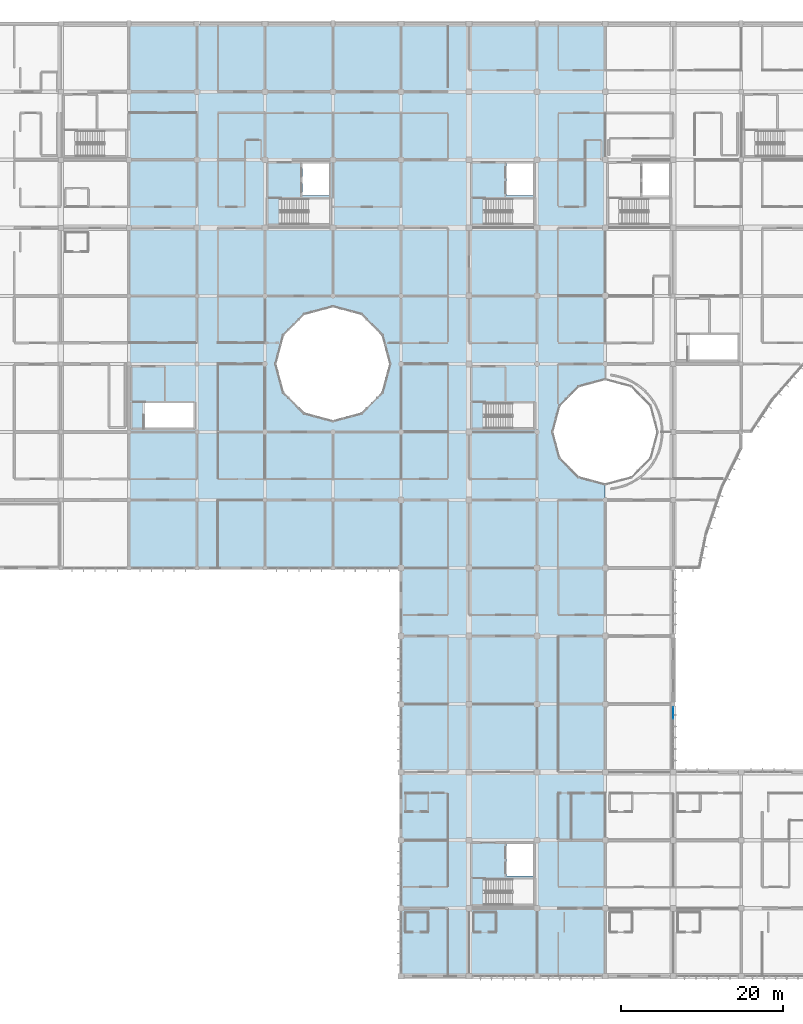
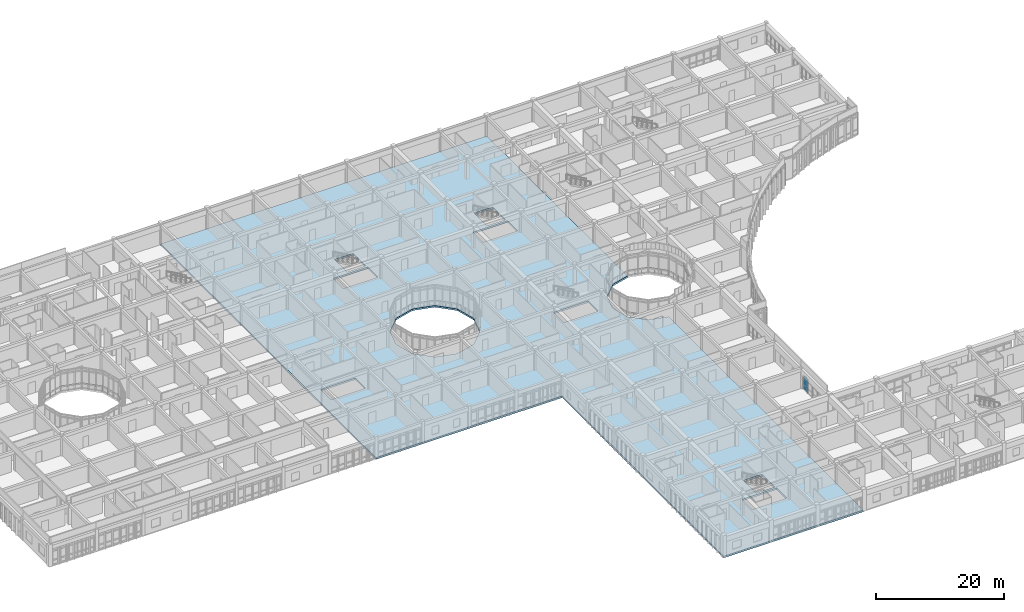
# One storey, part 59 of 119: 3 plates, 1 slab, 1 element without a shape of its own.
"""IFC4 building model written with IfcOpenShell, lengths in metres."""

from ifc_helpers import new_model, si_unit, direction, frame, origin, origin_2d, place, context, subcontext, project, spatial, polyline, rectangle, outline, extrude, material, layer, layer_set, type_object, element, aggregate, save


model = new_model("IFC4")

# Units and contexts
model_context = context("Model", 3, precision=1e-05, world=origin(), true_north=direction((0.0, 1.0)))
body_context = subcontext(model_context, "Body", "Model", "MODEL_VIEW")
ifc_project = project(units=[si_unit("LENGTHUNIT", "METRE"), si_unit("AREAUNIT", "SQUARE_METRE"), si_unit("VOLUMEUNIT", "CUBIC_METRE"), si_unit("PLANEANGLEUNIT", "RADIAN"), si_unit("MASSUNIT", "GRAM", prefix="KILO")], contexts=[model_context])

# Site, building, storey
site_placement = place(None, origin())
site = spatial("IfcSite", under=ifc_project, at=site_placement, CompositionType="ELEMENT")
building_placement = place(site_placement, origin())
building = spatial("IfcBuilding", under=site, at=building_placement, Name="Bramfleet General Hospital", CompositionType="ELEMENT")
storey_placement = place(building_placement, frame((0.0, 0.0, 14.39990234375)))
storey = spatial("IfcBuildingStorey", under=building, at=storey_placement, Name="L03", CompositionType="ELEMENT", Elevation=14.39990234375)

# Curtain wall, plates
ifc_material_1 = material(Name="Anodised aluminium and low-E triple glazing", Category="aluminium")
ifc_layer_1 = layer(ifc_material_1, 0.179931640625, Name="CWT-CW-01")
ifc_layer_set_1 = layer_set([ifc_layer_1], Name="Anodised aluminium and low-E triple glazing")
curtain_wall_type = type_object("IfcCurtainWallType", Name="CWT-CW-01", PredefinedType="USERDEFINED", material=ifc_layer_set_1)
curtain_wall_placement = place(storey_placement, origin())
curtain_wall = element("IfcCurtainWall", 1, at=curtain_wall_placement, inside=storey, type_object=curtain_wall_type, Name="L03 Curtain Wall 163", ObjectType="Unitised curtain wall", PredefinedType="USERDEFINED")
ifc_material_2 = material(Name="Low-E laminated safety glass", Category="glass")
ifc_layer_2 = layer(ifc_material_2, 0.035888671875, Name="CWP-GLZ-3")
ifc_layer_set_2 = layer_set([ifc_layer_2], Name="Low-E laminated safety glass")
plate_type = type_object("IfcPlateType", Name="CWP-GLZ-3", PredefinedType="CURTAIN_PANEL", material=ifc_layer_set_2)
plate_1_placement = place(storey_placement, frame((126.0, 32.492431640625, 0.06494140625), z_axis=(0.0, 0.0, 1.0), x_axis=(0.0, -1.0, 0.0)))
plate_1 = element("IfcPlate", 2, at=plate_1_placement, type_object=plate_type, Name="CW-01 panel 1.1", PredefinedType="CURTAIN_PANEL", context=body_context, shape_type="SweptSolid", body=[
    extrude(rectangle(XDim=1.425048828125, YDim=0.035888671875, at=origin_2d()), origin(), (0.0, 0.0, 1.0), 0.802490234375),
])
plate_2_placement = place(storey_placement, frame((126.0, 32.492431640625, 0.9326171875), z_axis=(0.0, 0.0, 1.0), x_axis=(0.0, -1.0, 0.0)))
plate_2 = element("IfcPlate", 3, at=plate_2_placement, type_object=plate_type, Name="CW-01 panel 1.2", PredefinedType="CURTAIN_PANEL", context=body_context, shape_type="SweptSolid", body=[
    extrude(rectangle(XDim=1.425048828125, YDim=0.035888671875, at=origin_2d()), origin(), (0.0, 0.0, 1.0), 1.175048828125),
])
plate_3_placement = place(storey_placement, frame((126.0, 32.492431640625, 2.1728515625), z_axis=(0.0, 0.0, 1.0), x_axis=(0.0, -1.0, 0.0)))
plate_3 = element("IfcPlate", 4, at=plate_3_placement, type_object=plate_type, Name="CW-01 panel 1.3", PredefinedType="CURTAIN_PANEL", context=body_context, shape_type="SweptSolid", body=[
    extrude(rectangle(XDim=1.425048828125, YDim=0.035888671875, at=origin_2d()), origin(), (0.0, 0.0, 1.0), 0.452392578125),
])
aggregate(curtain_wall, [plate_1, plate_2, plate_3])

# Slab
ifc_material_3 = material(Name="Concrete C35/45", Category="concrete")
ifc_layer_3 = layer(ifc_material_3, 0.320068359375, Name="SL-FLR-320")
ifc_layer_set_3 = layer_set([ifc_layer_3], Name="Concrete C35/45")
slab_type = type_object("IfcSlabType", Name="SL-FLR-320", PredefinedType="FLOOR", material=ifc_layer_set_3)
slab_placement = place(storey_placement, frame((0.0, 0.0, -0.31982421875)))
element("IfcSlab", 5, at=slab_placement, inside=storey, type_object=slab_type, Name="L03 Structural Floor Slab (CENTRE)", PredefinedType="FLOOR", context=body_context, shape_type="SweptSolid", body=[
    extrude(outline(polyline([(67.199951171875, 117.60009765625), (75.60009765625, 117.60009765625), (84.0, 117.60009765625), (92.39990234375, 117.60009765625), (100.800048828125, 117.60009765625), (109.199951171875, 117.60009765625), (117.60009765625, 117.60009765625), (117.60009765625, 73.60009765625), (114.39990234375, 72.74267578125), (112.057373046875, 70.39990234375), (111.199951171875, 67.199951171875), (112.057373046875, 64.0), (114.39990234375, 61.657470703125), (117.60009765625, 60.800048828125), (117.60009765625, 0.0), (109.199951171875, 0.0), (100.800048828125, 0.0), (92.39990234375, 0.0), (92.39990234375, 8.39990234375), (92.39990234375, 16.800048828125), (92.39990234375, 25.199951171875), (92.39990234375, 33.60009765625), (92.39990234375, 42.0), (92.39990234375, 50.39990234375), (84.0, 50.39990234375), (75.60009765625, 50.39990234375), (67.199951171875, 50.39990234375), (58.800048828125, 50.39990234375), (58.800048828125, 117.60009765625), (67.199951171875, 117.60009765625)]), holes=[polyline([(77.937744140625, 72.10009765625), (80.5, 69.537841796875), (84.0, 68.60009765625), (87.5, 69.537841796875), (90.062255859375, 72.10009765625), (91.0, 75.60009765625), (90.062255859375, 79.10009765625), (87.5, 81.662109375), (84.0, 82.60009765625), (80.5, 81.662109375), (77.937744140625, 79.10009765625), (77.0, 75.60009765625), (77.937744140625, 72.10009765625)]), polyline([(102.639892578125, 8.820068359375), (108.860107421875, 8.820068359375), (108.860107421875, 11.97998046875), (102.639892578125, 11.97998046875), (102.639892578125, 8.820068359375)]), polyline([(105.419921875, 12.39990234375), (108.75, 12.39990234375), (108.75, 16.35009765625), (105.419921875, 16.35009765625), (105.419921875, 12.39990234375)]), polyline([(102.639892578125, 92.820068359375), (108.860107421875, 92.820068359375), (108.860107421875, 95.97998046875), (102.639892578125, 95.97998046875), (102.639892578125, 92.820068359375)]), polyline([(105.419921875, 96.39990234375), (108.75, 96.39990234375), (108.75, 100.35009765625), (105.419921875, 100.35009765625), (105.419921875, 96.39990234375)]), polyline([(77.43994140625, 92.820068359375), (83.659912109375, 92.820068359375), (83.659912109375, 95.97998046875), (77.43994140625, 95.97998046875), (77.43994140625, 92.820068359375)]), polyline([(80.219970703125, 96.39990234375), (83.550048828125, 96.39990234375), (83.550048828125, 100.35009765625), (80.219970703125, 100.35009765625), (80.219970703125, 96.39990234375)]), polyline([(102.639892578125, 67.6201171875), (108.860107421875, 67.6201171875), (108.860107421875, 70.780029296875), (102.639892578125, 70.780029296875), (102.639892578125, 67.6201171875)]), polyline([(60.639892578125, 67.6201171875), (66.860107421875, 67.6201171875), (66.860107421875, 70.780029296875), (60.639892578125, 70.780029296875), (60.639892578125, 67.6201171875)])]), origin(), (0.0, 0.0, 1.0), 0.31982421875),
])

save(model, "model.ifc")
